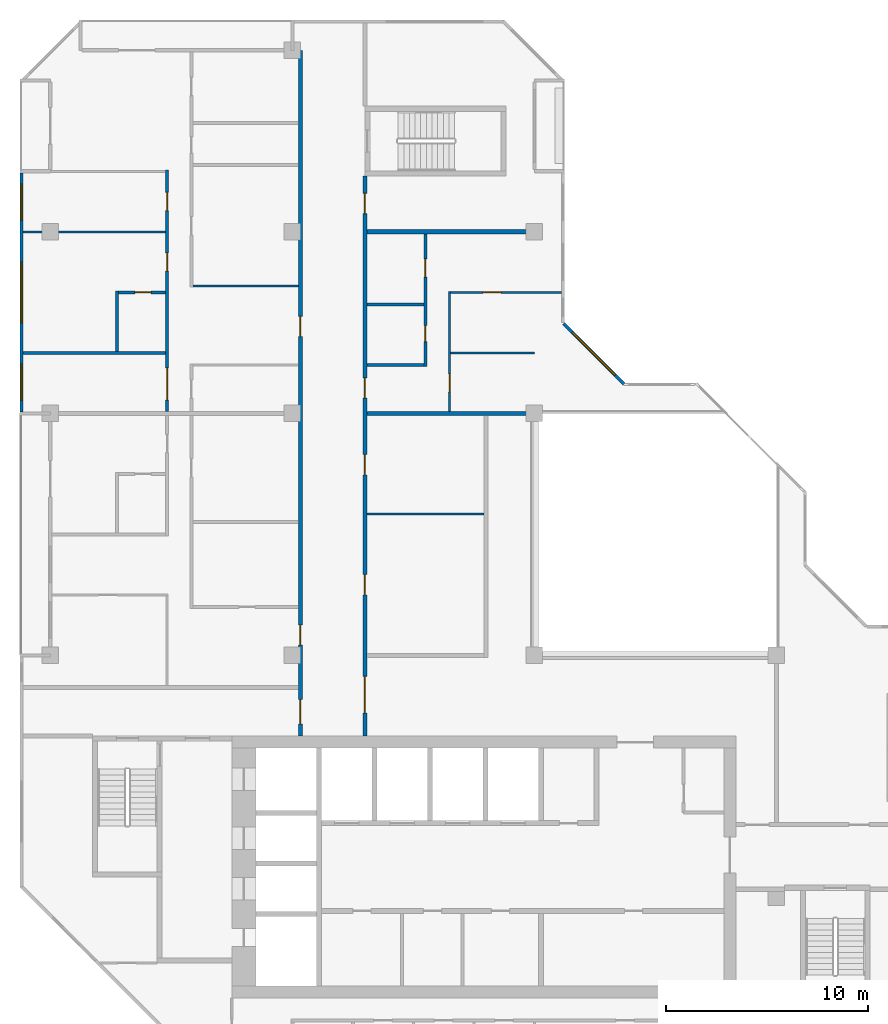
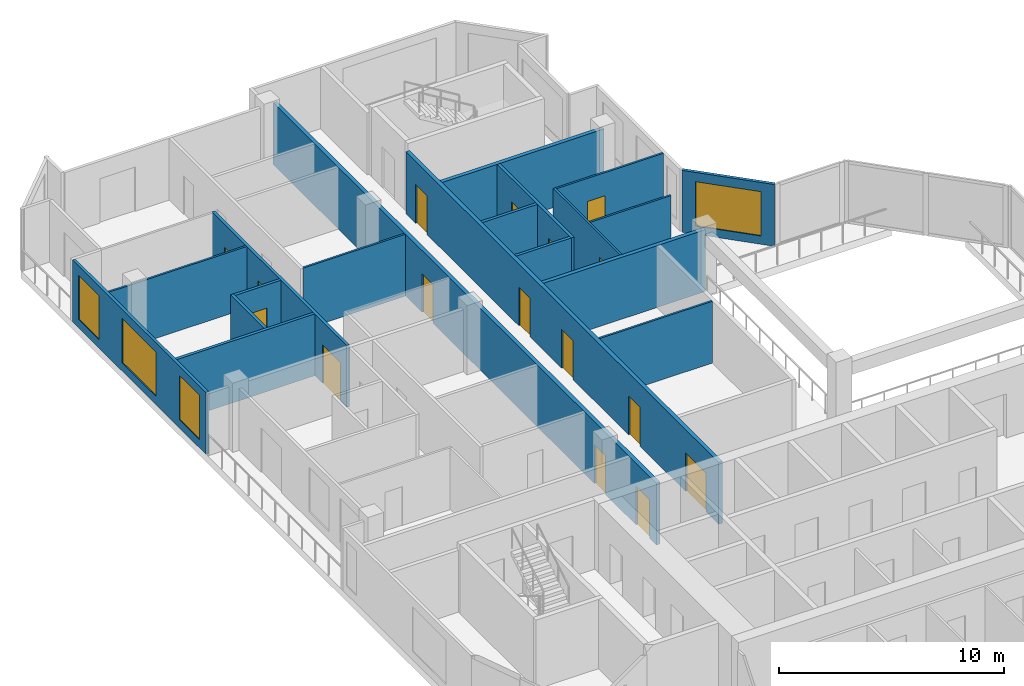
# One storey, part 9 of 13: 19 walls, 16 doors, 4 windows, 20 openings.
"""IFC4 building model written with IfcOpenShell, lengths in metres."""

from ifc_helpers import new_model, si_unit, direction, frame, frame_2d, origin, place, context, subcontext, project, spatial, rectangle, extrude, material, layer, layer_set, type_object, element, fill, save


model = new_model("IFC4")

# Units and contexts
model_context = context("Model", 3, precision=1e-05, world=origin(), true_north=direction((0.0, 1.0)))
body_context = subcontext(model_context, "Body", "Model", "MODEL_VIEW")
ifc_project = project(units=[si_unit("LENGTHUNIT", "METRE"), si_unit("AREAUNIT", "SQUARE_METRE"), si_unit("VOLUMEUNIT", "CUBIC_METRE"), si_unit("PLANEANGLEUNIT", "RADIAN"), si_unit("MASSUNIT", "GRAM", prefix="KILO")], contexts=[model_context])

# Site, building, storey
site_placement = place(None, origin())
site = spatial("IfcSite", under=ifc_project, at=site_placement, CompositionType="ELEMENT")
building_placement = place(site_placement, origin())
building = spatial("IfcBuilding", under=site, at=building_placement, Name="Chenar Terraces", CompositionType="ELEMENT")
storey_placement = place(building_placement, frame((0.0, 0.0, 307.14990234375)))
storey = spatial("IfcBuildingStorey", under=building, at=storey_placement, Name="L72", CompositionType="ELEMENT", Elevation=307.14990234375)

# Wall, openings, doors
ifc_material_1 = material(Name="Gypsum board on steel studs with fire boards", Category="steel")
ifc_layer_1 = layer(ifc_material_1, 0.199951171875)
ifc_layer_set_1 = layer_set([ifc_layer_1], Name="Gypsum board on steel studs with fire boards")
wall_type_1 = type_object("IfcWallType", Name="Corridor wall 200", PredefinedType="PARTITIONING", material=ifc_layer_set_1)
wall_1_placement = place(storey_placement, frame((12.39990234375, 20.0, 0.0), z_axis=(0.0, 0.0, 1.0), x_axis=(0.0, 1.0, 0.0)))
wall_1 = element("IfcWall", 1, at=wall_1_placement, inside=storey, type_object=wall_type_1, Name="Partition L72-031", PredefinedType="PARTITIONING", context=body_context, shape_type="SweptSolid", body=[
    extrude(rectangle(XDim=34.0, YDim=0.199951171875, at=frame_2d((17.0, 0.0))), origin(), (0.0, 0.0, 1.0), 3.35009765625),
])
opening_1_placement = place(wall_1_placement, frame((19.800048828125, 0.0, 0.0)))
opening_1 = element("IfcOpeningElement", 2, at=opening_1_placement, cuts=wall_1, Name="Opening DL72-25", PredefinedType="OPENING", context=body_context, shape_type="SweptSolid", body=[
    extrude(rectangle(XDim=1.0, YDim=2.10009765625, at=frame_2d((0.5, 1.050048828125))), frame((0.0, 0.10986328125, 0.0), z_axis=(0.0, -1.0, 0.0), x_axis=(1.0, 0.0, 0.0)), (0.0, 0.0, 1.0), 0.219970703125),
])
opening_2_placement = place(wall_1_placement, frame((0.60009765625, 0.0, 0.0)))
opening_2 = element("IfcOpeningElement", 3, at=opening_2_placement, cuts=wall_1, Name="Opening DL72-31", PredefinedType="OPENING", context=body_context, shape_type="SweptSolid", body=[
    extrude(rectangle(XDim=1.199951171875, YDim=2.10009765625, at=frame_2d((0.60009765625, 1.050048828125))), frame((0.0, 0.10986328125, 0.0), z_axis=(0.0, -1.0, 0.0), x_axis=(1.0, 0.0, 0.0)), (0.0, 0.0, 1.0), 0.219970703125),
])
opening_3_placement = place(wall_1_placement, frame((4.5, 0.0, 0.0)))
opening_3 = element("IfcOpeningElement", 4, at=opening_3_placement, cuts=wall_1, Name="Opening DL72-52", PredefinedType="OPENING", context=body_context, shape_type="SweptSolid", body=[
    extrude(rectangle(XDim=1.0, YDim=2.10009765625, at=frame_2d((0.5, 1.050048828125))), frame((0.0, 0.10986328125, 0.0), z_axis=(0.0, -1.0, 0.0), x_axis=(1.0, 0.0, 0.0)), (0.0, 0.0, 1.0), 0.219970703125),
])
ifc_material_2 = material(Name="Steel-framed fire-resisting door leaf", Category="steel")
door_type_1 = type_object("IfcDoorType", Name="Fire door FD30S 1000 x 2100", OperationType="SINGLE_SWING_LEFT", PredefinedType="DOOR", material=ifc_material_2)
door_1_placement = place(opening_1_placement, origin())
door_1 = element("IfcDoor", 5, at=door_1_placement, inside=storey, type_object=door_type_1, Name="Door DL72-25", OperationType="SINGLE_SWING_LEFT", OverallHeight=2.10009765625, OverallWidth=1.0, PredefinedType="DOOR", context=body_context, shape_type="SweptSolid", body=[
    extrude(rectangle(XDim=1.0, YDim=2.10009765625, at=frame_2d((0.5, 1.050048828125))), frame((0.0, 0.02490234375, 0.0), z_axis=(0.0, -1.0, 0.0), x_axis=(1.0, 0.0, 0.0)), (0.0, 0.0, 1.0), 0.050048828125),
])
fill(opening_1, door_1)
door_2_placement = place(opening_3_placement, origin())
door_2 = element("IfcDoor", 6, at=door_2_placement, inside=storey, type_object=door_type_1, Name="Door DL72-52", OperationType="SINGLE_SWING_LEFT", OverallHeight=2.10009765625, OverallWidth=1.0, PredefinedType="DOOR", context=body_context, shape_type="SweptSolid", body=[
    extrude(rectangle(XDim=1.0, YDim=2.10009765625, at=frame_2d((0.5, 1.050048828125))), frame((0.0, 0.02490234375, 0.0), z_axis=(0.0, -1.0, 0.0), x_axis=(1.0, 0.0, 0.0)), (0.0, 0.0, 1.0), 0.050048828125),
])
fill(opening_3, door_2)
ifc_material_3 = material(Name="Steel-framed fire-resisting door leaf", Category="steel")
door_type_2 = type_object("IfcDoorType", Name="Fire door FD30S 1200 x 2100", OperationType="SINGLE_SWING_LEFT", PredefinedType="DOOR", material=ifc_material_3)
door_3_placement = place(opening_2_placement, origin())
door_3 = element("IfcDoor", 7, at=door_3_placement, inside=storey, type_object=door_type_2, Name="Door DL72-31", OperationType="SINGLE_SWING_RIGHT", OverallHeight=2.10009765625, OverallWidth=1.199951171875, PredefinedType="DOOR", context=body_context, shape_type="SweptSolid", body=[
    extrude(rectangle(XDim=1.199951171875, YDim=2.10009765625, at=frame_2d((0.60009765625, 1.050048828125))), frame((0.0, 0.02490234375, 0.0), z_axis=(0.0, -1.0, 0.0), x_axis=(1.0, 0.0, 0.0)), (0.0, 0.0, 1.0), 0.050048828125),
])
fill(opening_2, door_3)

wall_2_placement = place(storey_placement, frame((15.60009765625, 20.0, 0.0), z_axis=(0.0, 0.0, 1.0), x_axis=(0.0, 1.0, 0.0)))
wall_2 = element("IfcWall", 8, at=wall_2_placement, inside=storey, type_object=wall_type_1, Name="Partition L72-033", PredefinedType="PARTITIONING", context=body_context, shape_type="SweptSolid", body=[
    extrude(rectangle(XDim=27.77490234375, YDim=0.199951171875, at=frame_2d((13.887451171875, 0.0))), origin(), (0.0, 0.0, 1.0), 3.35009765625),
])
opening_4_placement = place(wall_2_placement, frame((7.0, 0.0, 0.0)))
opening_4 = element("IfcOpeningElement", 9, at=opening_4_placement, cuts=wall_2, Name="Opening DL72-1", PredefinedType="OPENING", context=body_context, shape_type="SweptSolid", body=[
    extrude(rectangle(XDim=1.0, YDim=2.10009765625, at=frame_2d((0.5, 1.050048828125))), frame((0.0, 0.10986328125, 0.0), z_axis=(0.0, -1.0, 0.0), x_axis=(1.0, 0.0, 0.0)), (0.0, 0.0, 1.0), 0.219970703125),
])
opening_5_placement = place(wall_2_placement, frame((12.949951171875, 0.0, 0.0)))
opening_5 = element("IfcOpeningElement", 10, at=opening_5_placement, cuts=wall_2, Name="Opening DL72-2", PredefinedType="OPENING", context=body_context, shape_type="SweptSolid", body=[
    extrude(rectangle(XDim=1.0, YDim=2.10009765625, at=frame_2d((0.5, 1.050048828125))), frame((0.0, 0.10986328125, 0.0), z_axis=(0.0, -1.0, 0.0), x_axis=(1.0, 0.0, 0.0)), (0.0, 0.0, 1.0), 0.219970703125),
])
opening_6_placement = place(wall_2_placement, frame((16.75, 0.0, 0.0)))
opening_6 = element("IfcOpeningElement", 11, at=opening_6_placement, cuts=wall_2, Name="Opening DL72-19", PredefinedType="OPENING", context=body_context, shape_type="SweptSolid", body=[
    extrude(rectangle(XDim=1.0, YDim=2.10009765625, at=frame_2d((0.5, 1.050048828125))), frame((0.0, 0.10986328125, 0.0), z_axis=(0.0, -1.0, 0.0), x_axis=(1.0, 0.0, 0.0)), (0.0, 0.0, 1.0), 0.219970703125),
])
opening_7_placement = place(wall_2_placement, frame((1.14990234375, 0.0, 0.0)))
opening_7 = element("IfcOpeningElement", 12, at=opening_7_placement, cuts=wall_2, Name="Opening DL72-30", PredefinedType="OPENING", context=body_context, shape_type="SweptSolid", body=[
    extrude(rectangle(XDim=1.800048828125, YDim=2.10009765625, at=frame_2d((0.89990234375, 1.050048828125))), frame((0.0, 0.10986328125, 0.0), z_axis=(0.0, -1.0, 0.0), x_axis=(1.0, 0.0, 0.0)), (0.0, 0.0, 1.0), 0.219970703125),
])
opening_8_placement = place(wall_2_placement, frame((25.89990234375, 0.0, 0.0)))
opening_8 = element("IfcOpeningElement", 13, at=opening_8_placement, cuts=wall_2, Name="Opening DL72-33", PredefinedType="OPENING", context=body_context, shape_type="SweptSolid", body=[
    extrude(rectangle(XDim=1.0, YDim=2.10009765625, at=frame_2d((0.5, 1.050048828125))), frame((0.0, 0.10986328125, 0.0), z_axis=(0.0, -1.0, 0.0), x_axis=(1.0, 0.0, 0.0)), (0.0, 0.0, 1.0), 0.219970703125),
])
ifc_material_4 = material(Name="Steel-framed fire-resisting door leaf", Category="steel")
door_type_3 = type_object("IfcDoorType", Name="Fire door FD60 1000 x 2100", OperationType="SINGLE_SWING_LEFT", PredefinedType="DOOR", material=ifc_material_4)
door_4_placement = place(opening_4_placement, frame((1.0, 0.0, 0.0), z_axis=(0.0, 0.0, 1.0), x_axis=(-1.0, 0.0, 0.0)))
door_4 = element("IfcDoor", 14, at=door_4_placement, inside=storey, type_object=door_type_3, Name="Door DL72-1", OperationType="SINGLE_SWING_LEFT", OverallHeight=2.10009765625, OverallWidth=1.0, PredefinedType="DOOR", context=body_context, shape_type="SweptSolid", body=[
    extrude(rectangle(XDim=1.0, YDim=2.10009765625, at=frame_2d((0.5, 1.050048828125))), frame((0.0, 0.02490234375, 0.0), z_axis=(0.0, -1.0, 0.0), x_axis=(1.0, 0.0, 0.0)), (0.0, 0.0, 1.0), 0.050048828125),
])
fill(opening_4, door_4)
door_5_placement = place(opening_5_placement, frame((1.0, 0.0, 0.0), z_axis=(0.0, 0.0, 1.0), x_axis=(-1.0, 0.0, 0.0)))
door_5 = element("IfcDoor", 15, at=door_5_placement, inside=storey, type_object=door_type_3, Name="Door DL72-2", OperationType="SINGLE_SWING_LEFT", OverallHeight=2.10009765625, OverallWidth=1.0, PredefinedType="DOOR", context=body_context, shape_type="SweptSolid", body=[
    extrude(rectangle(XDim=1.0, YDim=2.10009765625, at=frame_2d((0.5, 1.050048828125))), frame((0.0, 0.02490234375, 0.0), z_axis=(0.0, -1.0, 0.0), x_axis=(1.0, 0.0, 0.0)), (0.0, 0.0, 1.0), 0.050048828125),
])
fill(opening_5, door_5)
door_6_placement = place(opening_6_placement, frame((1.0, 0.0, 0.0), z_axis=(0.0, 0.0, 1.0), x_axis=(-1.0, 0.0, 0.0)))
door_6 = element("IfcDoor", 16, at=door_6_placement, inside=storey, type_object=door_type_3, Name="Door DL72-19", OperationType="SINGLE_SWING_LEFT", OverallHeight=2.10009765625, OverallWidth=1.0, PredefinedType="DOOR", context=body_context, shape_type="SweptSolid", body=[
    extrude(rectangle(XDim=1.0, YDim=2.10009765625, at=frame_2d((0.5, 1.050048828125))), frame((0.0, 0.02490234375, 0.0), z_axis=(0.0, -1.0, 0.0), x_axis=(1.0, 0.0, 0.0)), (0.0, 0.0, 1.0), 0.050048828125),
])
fill(opening_6, door_6)
door_7_placement = place(opening_8_placement, frame((1.0, 0.0, 0.0), z_axis=(0.0, 0.0, 1.0), x_axis=(-1.0, 0.0, 0.0)))
door_7 = element("IfcDoor", 17, at=door_7_placement, inside=storey, type_object=door_type_3, Name="Door DL72-33", OperationType="SINGLE_SWING_RIGHT", OverallHeight=2.10009765625, OverallWidth=1.0, PredefinedType="DOOR", context=body_context, shape_type="SweptSolid", body=[
    extrude(rectangle(XDim=1.0, YDim=2.10009765625, at=frame_2d((0.5, 1.050048828125))), frame((0.0, 0.02490234375, 0.0), z_axis=(0.0, -1.0, 0.0), x_axis=(1.0, 0.0, 0.0)), (0.0, 0.0, 1.0), 0.050048828125),
])
fill(opening_8, door_7)
ifc_material_5 = material(Name="Steel-framed fire-resisting door leaf", Category="steel")
door_type_4 = type_object("IfcDoorType", Name="Fire double door FD60 1800 x 2100", OperationType="DOUBLE_DOOR_SINGLE_SWING", PredefinedType="DOOR", material=ifc_material_5)
door_8_placement = place(opening_7_placement, frame((1.800048828125, 0.0, 0.0), z_axis=(0.0, 0.0, 1.0), x_axis=(-1.0, 0.0, 0.0)))
door_8 = element("IfcDoor", 18, at=door_8_placement, inside=storey, type_object=door_type_4, Name="Door DL72-30", OperationType="DOUBLE_DOOR_SINGLE_SWING", OverallHeight=2.10009765625, OverallWidth=1.800048828125, PredefinedType="DOOR", context=body_context, shape_type="SweptSolid", body=[
    extrude(rectangle(XDim=1.800048828125, YDim=2.10009765625, at=frame_2d((0.89990234375, 1.050048828125))), frame((0.0, 0.02490234375, 0.0), z_axis=(0.0, -1.0, 0.0), x_axis=(1.0, 0.0, 0.0)), (0.0, 0.0, 1.0), 0.050048828125),
])
fill(opening_7, door_8)

# Wall, openings, windows
ifc_material_6 = material(Name="Aluminium framed glazing", Category="aluminium")
ifc_layer_2 = layer(ifc_material_6, 0.14990234375)
ifc_layer_set_2 = layer_set([ifc_layer_2], Name="Aluminium framed glazing")
wall_type_2 = type_object("IfcWallType", Name="Glazed flush facade wall 150", PredefinedType="SOLIDWALL", material=ifc_layer_set_2)
wall_3_placement = place(storey_placement, frame((-1.425048828125, 47.925048828125, 0.0), z_axis=(0.0, 0.0, 1.0), x_axis=(0.0, -1.0, 0.0)))
wall_3 = element("IfcWall", 19, at=wall_3_placement, inside=storey, type_object=wall_type_2, Name="Glazed flush facade wall", PredefinedType="SOLIDWALL", context=body_context, shape_type="SweptSolid", body=[
    extrude(rectangle(XDim=11.85009765625, YDim=0.14990234375, at=frame_2d((5.925048828125, 0.0))), origin(), (0.0, 0.0, 1.0), 3.35009765625),
])
opening_9_placement = place(wall_3_placement, frame((0.5625, 0.0, 0.449951171875)))
opening_9 = element("IfcOpeningElement", 20, at=opening_9_placement, cuts=wall_3, Name="Opening W180x240", PredefinedType="OPENING", context=body_context, shape_type="SweptSolid", body=[
    extrude(rectangle(XDim=1.800048828125, YDim=2.39990234375, at=frame_2d((0.89990234375, 1.199951171875))), frame((0.0, 0.0849609375, 0.0), z_axis=(0.0, -1.0, 0.0), x_axis=(1.0, 0.0, 0.0)), (0.0, 0.0, 1.0), 0.169921875),
])
opening_10_placement = place(wall_3_placement, frame((4.425048828125, 0.0, 0.449951171875)))
opening_10 = element("IfcOpeningElement", 21, at=opening_10_placement, cuts=wall_3, Name="Opening W300x240", PredefinedType="OPENING", context=body_context, shape_type="SweptSolid", body=[
    extrude(rectangle(XDim=3.0, YDim=2.39990234375, at=frame_2d((1.5, 1.199951171875))), frame((0.0, 0.0849609375, 0.0), z_axis=(0.0, -1.0, 0.0), x_axis=(1.0, 0.0, 0.0)), (0.0, 0.0, 1.0), 0.169921875),
])
opening_11_placement = place(wall_3_placement, frame((9.487548828125, 0.0, 0.449951171875)))
opening_11 = element("IfcOpeningElement", 22, at=opening_11_placement, cuts=wall_3, Name="Opening W180x240", PredefinedType="OPENING", context=body_context, shape_type="SweptSolid", body=[
    extrude(rectangle(XDim=1.800048828125, YDim=2.39990234375, at=frame_2d((0.89990234375, 1.199951171875))), frame((0.0, 0.0849609375, 0.0), z_axis=(0.0, -1.0, 0.0), x_axis=(1.0, 0.0, 0.0)), (0.0, 0.0, 1.0), 0.169921875),
])
ifc_material_7 = material(Name="Low emissivity double glazing, aluminium frame", Category="aluminium")
window_type_1 = type_object("IfcWindowType", Name="Fixed light 1800 x 2400", PartitioningType="SINGLE_PANEL", PredefinedType="WINDOW", material=ifc_material_7)
window_1_placement = place(opening_9_placement, origin())
window_1 = element("IfcWindow", 23, at=window_1_placement, inside=storey, type_object=window_type_1, Name="Window", OverallHeight=2.39990234375, OverallWidth=1.800048828125, PartitioningType="SINGLE_PANEL", PredefinedType="WINDOW", context=body_context, shape_type="SweptSolid", body=[
    extrude(rectangle(XDim=1.800048828125, YDim=2.39990234375, at=frame_2d((0.89990234375, 1.199951171875))), frame((0.0, 0.030029296875, 0.0), z_axis=(0.0, -1.0, 0.0), x_axis=(1.0, 0.0, 0.0)), (0.0, 0.0, 1.0), 0.06005859375),
])
fill(opening_9, window_1)
window_2_placement = place(opening_11_placement, origin())
window_2 = element("IfcWindow", 24, at=window_2_placement, inside=storey, type_object=window_type_1, Name="Window", OverallHeight=2.39990234375, OverallWidth=1.800048828125, PartitioningType="SINGLE_PANEL", PredefinedType="WINDOW", context=body_context, shape_type="SweptSolid", body=[
    extrude(rectangle(XDim=1.800048828125, YDim=2.39990234375, at=frame_2d((0.89990234375, 1.199951171875))), frame((0.0, 0.030029296875, 0.0), z_axis=(0.0, -1.0, 0.0), x_axis=(1.0, 0.0, 0.0)), (0.0, 0.0, 1.0), 0.06005859375),
])
fill(opening_11, window_2)
ifc_material_8 = material(Name="Low emissivity double glazing, aluminium frame", Category="aluminium")
window_type_2 = type_object("IfcWindowType", Name="Fixed light 3000 x 2400", PartitioningType="SINGLE_PANEL", PredefinedType="WINDOW", material=ifc_material_8)
window_3_placement = place(opening_10_placement, origin())
window_3 = element("IfcWindow", 25, at=window_3_placement, inside=storey, type_object=window_type_2, Name="Window", OverallHeight=2.39990234375, OverallWidth=3.0, PartitioningType="SINGLE_PANEL", PredefinedType="WINDOW", context=body_context, shape_type="SweptSolid", body=[
    extrude(rectangle(XDim=3.0, YDim=2.39990234375, at=frame_2d((1.5, 1.199951171875))), frame((0.0, 0.030029296875, 0.0), z_axis=(0.0, -1.0, 0.0), x_axis=(1.0, 0.0, 0.0)), (0.0, 0.0, 1.0), 0.06005859375),
])
fill(opening_10, window_3)

# Walls
ifc_material_9 = material(Name="Gypsum board on steel studs", Category="steel")
ifc_layer_3 = layer(ifc_material_9, 0.10009765625)
ifc_layer_set_3 = layer_set([ifc_layer_3], Name="Gypsum board on steel studs")
wall_type_3 = type_object("IfcWallType", Name="Gypsum partition 100", PredefinedType="PARTITIONING", material=ifc_layer_set_3)
wall_4_placement = place(storey_placement, frame((-1.35107421875, 45.0, 0.0), z_axis=(0.0, 0.0, 1.0), x_axis=(1.0, 0.0, 0.0)))
element("IfcWall", 26, at=wall_4_placement, inside=storey, type_object=wall_type_3, Name="Partition L72-002", PredefinedType="PARTITIONING", context=body_context, shape_type="SweptSolid", body=[
    extrude(rectangle(XDim=7.076171875, YDim=0.10009765625, at=frame_2d((3.5380859375, 0.0))), origin(), (0.0, 0.0, 1.0), 3.35009765625),
])
wall_5_placement = place(storey_placement, frame((7.074951171875, 42.300048828125, 0.0), z_axis=(0.0, 0.0, 1.0), x_axis=(1.0, 0.0, 0.0)))
element("IfcWall", 27, at=wall_5_placement, inside=storey, type_object=wall_type_3, Name="Partition L72-023", PredefinedType="PARTITIONING", context=body_context, shape_type="SweptSolid", body=[
    extrude(rectangle(XDim=5.22509765625, YDim=0.10009765625, at=frame_2d((2.612548828125, 0.0))), origin(), (0.0, 0.0, 1.0), 3.35009765625),
])
wall_6_placement = place(storey_placement, frame((15.699951171875, 31.0, 0.0), z_axis=(0.0, 0.0, 1.0), x_axis=(1.0, 0.0, 0.0)))
element("IfcWall", 28, at=wall_6_placement, inside=storey, type_object=wall_type_3, Name="Partition L72-036", PredefinedType="PARTITIONING", context=body_context, shape_type="SweptSolid", body=[
    extrude(rectangle(XDim=5.800048828125, YDim=0.10009765625, at=frame_2d((2.89990234375, 0.0))), origin(), (0.0, 0.0, 1.0), 3.35009765625),
])

# Wall, opening, door
wall_7_placement = place(storey_placement, frame((19.800048828125, 36.10009765625, 0.0), z_axis=(0.0, 0.0, 1.0), x_axis=(0.0, 1.0, 0.0)))
wall_7 = element("IfcWall", 29, at=wall_7_placement, inside=storey, type_object=wall_type_3, Name="Partition L72-043", PredefinedType="PARTITIONING", context=body_context, shape_type="SweptSolid", body=[
    extrude(rectangle(XDim=5.949951171875, YDim=0.10009765625, at=frame_2d((2.97509765625, 0.0))), origin(), (0.0, 0.0, 1.0), 3.35009765625),
])
opening_12_placement = place(wall_7_placement, frame((0.949951171875, 0.0, 0.0)))
opening_12 = element("IfcOpeningElement", 30, at=opening_12_placement, cuts=wall_7, Name="Opening DL72-16", PredefinedType="OPENING", context=body_context, shape_type="SweptSolid", body=[
    extrude(rectangle(XDim=0.89990234375, YDim=2.10009765625, at=frame_2d((0.449951171875, 1.050048828125))), frame((0.0, 0.06005859375, 0.0), z_axis=(0.0, -1.0, 0.0), x_axis=(1.0, 0.0, 0.0)), (0.0, 0.0, 1.0), 0.1201171875),
])
ifc_material_10 = material(Name="Veneered timber door leaf", Category="wood")
door_type_5 = type_object("IfcDoorType", Name="Door 900 x 2100", OperationType="SINGLE_SWING_LEFT", PredefinedType="DOOR", material=ifc_material_10)
door_9_placement = place(opening_12_placement, frame((0.89990234375, 0.0, 0.0), z_axis=(0.0, 0.0, 1.0), x_axis=(-1.0, 0.0, 0.0)))
door_9 = element("IfcDoor", 31, at=door_9_placement, inside=storey, type_object=door_type_5, Name="Door DL72-16", OperationType="SINGLE_SWING_LEFT", OverallHeight=2.10009765625, OverallWidth=0.89990234375, PredefinedType="DOOR", context=body_context, shape_type="SweptSolid", body=[
    extrude(rectangle(XDim=0.89990234375, YDim=2.10009765625, at=frame_2d((0.449951171875, 1.050048828125))), frame((0.0, 0.02490234375, 0.0), z_axis=(0.0, -1.0, 0.0), x_axis=(1.0, 0.0, 0.0)), (0.0, 0.0, 1.0), 0.050048828125),
])
fill(opening_12, door_9)

# Wall
wall_8_placement = place(storey_placement, frame((19.85009765625, 39.0, 0.0), z_axis=(0.0, 0.0, 1.0), x_axis=(1.0, 0.0, 0.0)))
element("IfcWall", 32, at=wall_8_placement, inside=storey, type_object=wall_type_3, Name="Partition L72-044", PredefinedType="PARTITIONING", context=body_context, shape_type="SweptSolid", body=[
    extrude(rectangle(XDim=4.14990234375, YDim=0.10009765625, at=frame_2d((2.074951171875, 0.0))), origin(), (0.0, 0.0, 1.0), 3.35009765625),
])

# Wall, opening, door
wall_9_placement = place(storey_placement, frame((19.85009765625, 42.0, 0.0), z_axis=(0.0, 0.0, 1.0), x_axis=(1.0, 0.0, 0.0)))
wall_9 = element("IfcWall", 33, at=wall_9_placement, inside=storey, type_object=wall_type_3, Name="Partition L72-045", PredefinedType="PARTITIONING", context=body_context, shape_type="SweptSolid", body=[
    extrude(rectangle(XDim=5.5, YDim=0.10009765625, at=frame_2d((2.75, 0.0))), origin(), (0.0, 0.0, 1.0), 3.35009765625),
])
opening_13_placement = place(wall_9_placement, frame((1.60009765625, 0.0, 0.0)))
opening_13 = element("IfcOpeningElement", 34, at=opening_13_placement, cuts=wall_9, Name="Opening DL72-17", PredefinedType="OPENING", context=body_context, shape_type="SweptSolid", body=[
    extrude(rectangle(XDim=0.89990234375, YDim=2.10009765625, at=frame_2d((0.449951171875, 1.050048828125))), frame((0.0, 0.06005859375, 0.0), z_axis=(0.0, -1.0, 0.0), x_axis=(1.0, 0.0, 0.0)), (0.0, 0.0, 1.0), 0.1201171875),
])
door_10_placement = place(opening_13_placement, frame((0.89990234375, 0.0, 0.0), z_axis=(0.0, 0.0, 1.0), x_axis=(-1.0, 0.0, 0.0)))
door_10 = element("IfcDoor", 35, at=door_10_placement, inside=storey, type_object=door_type_5, Name="Door DL72-17", OperationType="SINGLE_SWING_LEFT", OverallHeight=2.10009765625, OverallWidth=0.89990234375, PredefinedType="DOOR", context=body_context, shape_type="SweptSolid", body=[
    extrude(rectangle(XDim=0.89990234375, YDim=2.10009765625, at=frame_2d((0.449951171875, 1.050048828125))), frame((0.0, 0.02490234375, 0.0), z_axis=(0.0, -1.0, 0.0), x_axis=(1.0, 0.0, 0.0)), (0.0, 0.0, 1.0), 0.050048828125),
])
fill(opening_13, door_10)

# Wall, opening, window
ifc_material_11 = material(Name="Terracotta cladding on insulated backing", Category="masonry")
ifc_layer_4 = layer(ifc_material_11, 0.14990234375)
ifc_layer_set_4 = layer_set([ifc_layer_4], Name="Terracotta cladding on insulated backing")
wall_type_4 = type_object("IfcWallType", Name="Terracotta rainscreen wall 150", PredefinedType="SOLIDWALL", material=ifc_layer_set_4)
wall_10_placement = place(storey_placement, frame((28.447021484375, 37.447021484375, 0.0), z_axis=(0.0, 0.0, 1.0), x_axis=(-0.707106781187, 0.707106781187, 0.0)))
wall_10 = element("IfcWall", 36, at=wall_10_placement, inside=storey, type_object=wall_type_4, Name="Terracotta rainscreen wall", PredefinedType="SOLIDWALL", context=body_context, shape_type="SweptSolid", body=[
    extrude(rectangle(XDim=4.24267578125, YDim=0.14990234375, at=frame_2d((2.121337890625, 0.0))), origin(), (0.0, 0.0, 1.0), 3.35009765625),
])
opening_14_placement = place(wall_10_placement, frame((0.621337890625, 0.0, 0.449951171875)))
opening_14 = element("IfcOpeningElement", 37, at=opening_14_placement, cuts=wall_10, Name="Opening W300x240", PredefinedType="OPENING", context=body_context, shape_type="SweptSolid", body=[
    extrude(rectangle(XDim=3.0, YDim=2.39990234375, at=frame_2d((1.5, 1.199951171875))), frame((0.0, 0.0849609375, 0.0), z_axis=(0.0, -1.0, 0.0), x_axis=(1.0, 0.0, 0.0)), (0.0, 0.0, 1.0), 0.169921875),
])
window_4_placement = place(opening_14_placement, origin())
window_4 = element("IfcWindow", 38, at=window_4_placement, inside=storey, type_object=window_type_2, Name="Window", OverallHeight=2.39990234375, OverallWidth=3.0, PartitioningType="SINGLE_PANEL", PredefinedType="WINDOW", context=body_context, shape_type="SweptSolid", body=[
    extrude(rectangle(XDim=3.0, YDim=2.39990234375, at=frame_2d((1.5, 1.199951171875))), frame((0.0, 0.030029296875, 0.0), z_axis=(0.0, -1.0, 0.0), x_axis=(1.0, 0.0, 0.0)), (0.0, 0.0, 1.0), 0.06005859375),
])
fill(opening_14, window_4)

# Walls
ifc_material_12 = material(Name="Twin gypsum board on steel studs with mineral wool", Category="steel")
ifc_layer_5 = layer(ifc_material_12, 0.199951171875)
ifc_layer_set_5 = layer_set([ifc_layer_5], Name="Twin gypsum board on steel studs with mineral wool")
wall_type_5 = type_object("IfcWallType", Name="Unit demising wall 200", PredefinedType="PARTITIONING", material=ifc_layer_set_5)
for number, where, z_axis, x_axis, name in (
    (39, (15.699951171875, 36.0, 0.0), (0.0, 0.0, 1.0), (1.0, 0.0, 0.0), "Partition L72-037"),
    (40, (15.699951171875, 45.0, 0.0), (0.0, 0.0, 1.0), (1.0, 0.0, 0.0), "Partition L72-040"),
):
    element("IfcWall", number, at=place(storey_placement, frame(where, z_axis=z_axis, x_axis=x_axis)), inside=storey, type_object=wall_type_5, Name=name, PredefinedType="PARTITIONING", context=body_context, shape_type="SweptSolid", body=[
        extrude(rectangle(XDim=8.300048828125, YDim=0.199951171875, at=frame_2d((4.14990234375, 0.0))), origin(), (0.0, 0.0, 1.0), 3.35009765625),
    ])
ifc_material_13 = material(Name="Moisture-resistant gypsum board on steel studs", Category="steel")
ifc_layer_6 = layer(ifc_material_13, 0.14990234375)
ifc_layer_set_6 = layer_set([ifc_layer_6], Name="Moisture-resistant gypsum board on steel studs")
wall_type_6 = type_object("IfcWallType", Name="Wet-room partition 150", PredefinedType="PARTITIONING", material=ifc_layer_set_6)
wall_11_placement = place(storey_placement, frame((-1.35107421875, 39.0, 0.0), z_axis=(0.0, 0.0, 1.0), x_axis=(1.0, 0.0, 0.0)))
element("IfcWall", 41, at=wall_11_placement, inside=storey, type_object=wall_type_6, Name="Partition L72-001", PredefinedType="PARTITIONING", context=body_context, shape_type="SweptSolid", body=[
    extrude(rectangle(XDim=7.076171875, YDim=0.14990234375, at=frame_2d((3.5380859375, 0.0))), origin(), (0.0, 0.0, 1.0), 3.35009765625),
])
wall_12_placement = place(storey_placement, frame((3.300048828125, 39.074951171875, 0.0), z_axis=(0.0, 0.0, 1.0), x_axis=(0.0, 1.0, 0.0)))
element("IfcWall", 42, at=wall_12_placement, inside=storey, type_object=wall_type_6, Name="Partition L72-011", PredefinedType="PARTITIONING", context=body_context, shape_type="SweptSolid", body=[
    extrude(rectangle(XDim=3.0, YDim=0.14990234375, at=frame_2d((1.5, 0.0))), origin(), (0.0, 0.0, 1.0), 3.35009765625),
])

# Wall, opening, door
wall_13_placement = place(storey_placement, frame((3.375, 42.0, 0.0), z_axis=(0.0, 0.0, 1.0), x_axis=(1.0, 0.0, 0.0)))
wall_13 = element("IfcWall", 43, at=wall_13_placement, inside=storey, type_object=wall_type_6, Name="Partition L72-013", PredefinedType="PARTITIONING", context=body_context, shape_type="SweptSolid", body=[
    extrude(rectangle(XDim=2.35009765625, YDim=0.14990234375, at=frame_2d((1.175048828125, 0.0))), origin(), (0.0, 0.0, 1.0), 3.35009765625),
])
opening_15_placement = place(wall_13_placement, frame((0.824951171875, 0.0, 0.0)))
opening_15 = element("IfcOpeningElement", 44, at=opening_15_placement, cuts=wall_13, Name="Opening DL72-23", PredefinedType="OPENING", context=body_context, shape_type="SweptSolid", body=[
    extrude(rectangle(XDim=0.800048828125, YDim=2.10009765625, at=frame_2d((0.39990234375, 1.050048828125))), frame((0.0, 0.0849609375, 0.0), z_axis=(0.0, -1.0, 0.0), x_axis=(1.0, 0.0, 0.0)), (0.0, 0.0, 1.0), 0.169921875),
])
ifc_material_14 = material(Name="Veneered timber door leaf", Category="wood")
door_type_6 = type_object("IfcDoorType", Name="Door 800 x 2100", OperationType="SINGLE_SWING_LEFT", PredefinedType="DOOR", material=ifc_material_14)
door_11_placement = place(opening_15_placement, frame((0.800048828125, 0.0, 0.0), z_axis=(0.0, 0.0, 1.0), x_axis=(-1.0, 0.0, 0.0)))
door_11 = element("IfcDoor", 45, at=door_11_placement, inside=storey, type_object=door_type_6, Name="Door DL72-23", OperationType="SINGLE_SWING_LEFT", OverallHeight=2.10009765625, OverallWidth=0.800048828125, PredefinedType="DOOR", context=body_context, shape_type="SweptSolid", body=[
    extrude(rectangle(XDim=0.800048828125, YDim=2.10009765625, at=frame_2d((0.39990234375, 1.050048828125))), frame((0.0, 0.02490234375, 0.0), z_axis=(0.0, -1.0, 0.0), x_axis=(1.0, 0.0, 0.0)), (0.0, 0.0, 1.0), 0.050048828125),
])
fill(opening_15, door_11)

# Wall, openings, doors
wall_14_placement = place(storey_placement, frame((5.800048828125, 36.10009765625, 0.0), z_axis=(0.0, 0.0, 1.0), x_axis=(0.0, 1.0, 0.0)))
wall_14 = element("IfcWall", 46, at=wall_14_placement, inside=storey, type_object=wall_type_6, Name="Partition L72-016", PredefinedType="PARTITIONING", context=body_context, shape_type="SweptSolid", body=[
    extrude(rectangle(XDim=11.949951171875, YDim=0.14990234375, at=frame_2d((5.97509765625, 0.0))), origin(), (0.0, 0.0, 1.0), 3.35009765625),
])
opening_16_placement = place(wall_14_placement, frame((9.949951171875, 0.0, 0.0)))
opening_16 = element("IfcOpeningElement", 47, at=opening_16_placement, cuts=wall_14, Name="Opening DL72-21", PredefinedType="OPENING", context=body_context, shape_type="SweptSolid", body=[
    extrude(rectangle(XDim=0.89990234375, YDim=2.10009765625, at=frame_2d((0.449951171875, 1.050048828125))), frame((0.0, 0.0849609375, 0.0), z_axis=(0.0, -1.0, 0.0), x_axis=(1.0, 0.0, 0.0)), (0.0, 0.0, 1.0), 0.169921875),
])
opening_17_placement = place(wall_14_placement, frame((6.949951171875, 0.0, 0.0)))
opening_17 = element("IfcOpeningElement", 48, at=opening_17_placement, cuts=wall_14, Name="Opening DL72-22", PredefinedType="OPENING", context=body_context, shape_type="SweptSolid", body=[
    extrude(rectangle(XDim=0.89990234375, YDim=2.10009765625, at=frame_2d((0.449951171875, 1.050048828125))), frame((0.0, 0.0849609375, 0.0), z_axis=(0.0, -1.0, 0.0), x_axis=(1.0, 0.0, 0.0)), (0.0, 0.0, 1.0), 0.169921875),
])
opening_18_placement = place(wall_14_placement, frame((0.550048828125, 0.0, 0.0)))
opening_18 = element("IfcOpeningElement", 49, at=opening_18_placement, cuts=wall_14, Name="Opening DL72-26", PredefinedType="OPENING", context=body_context, shape_type="SweptSolid", body=[
    extrude(rectangle(XDim=1.60009765625, YDim=2.10009765625, at=frame_2d((0.800048828125, 1.050048828125))), frame((0.0, 0.0849609375, 0.0), z_axis=(0.0, -1.0, 0.0), x_axis=(1.0, 0.0, 0.0)), (0.0, 0.0, 1.0), 0.169921875),
])
door_12_placement = place(opening_16_placement, origin())
door_12 = element("IfcDoor", 50, at=door_12_placement, inside=storey, type_object=door_type_5, Name="Door DL72-21", OperationType="SINGLE_SWING_RIGHT", OverallHeight=2.10009765625, OverallWidth=0.89990234375, PredefinedType="DOOR", context=body_context, shape_type="SweptSolid", body=[
    extrude(rectangle(XDim=0.89990234375, YDim=2.10009765625, at=frame_2d((0.449951171875, 1.050048828125))), frame((0.0, 0.02490234375, 0.0), z_axis=(0.0, -1.0, 0.0), x_axis=(1.0, 0.0, 0.0)), (0.0, 0.0, 1.0), 0.050048828125),
])
fill(opening_16, door_12)
door_13_placement = place(opening_17_placement, origin())
door_13 = element("IfcDoor", 51, at=door_13_placement, inside=storey, type_object=door_type_5, Name="Door DL72-22", OperationType="SINGLE_SWING_RIGHT", OverallHeight=2.10009765625, OverallWidth=0.89990234375, PredefinedType="DOOR", context=body_context, shape_type="SweptSolid", body=[
    extrude(rectangle(XDim=0.89990234375, YDim=2.10009765625, at=frame_2d((0.449951171875, 1.050048828125))), frame((0.0, 0.02490234375, 0.0), z_axis=(0.0, -1.0, 0.0), x_axis=(1.0, 0.0, 0.0)), (0.0, 0.0, 1.0), 0.050048828125),
])
fill(opening_17, door_13)
ifc_material_15 = material(Name="Veneered timber door leaf", Category="wood")
door_type_7 = type_object("IfcDoorType", Name="Double door 1600 x 2100", OperationType="DOUBLE_DOOR_SINGLE_SWING", PredefinedType="DOOR", material=ifc_material_15)
door_14_placement = place(opening_18_placement, origin())
door_14 = element("IfcDoor", 52, at=door_14_placement, inside=storey, type_object=door_type_7, Name="Door DL72-26", OperationType="DOUBLE_DOOR_SINGLE_SWING", OverallHeight=2.10009765625, OverallWidth=1.60009765625, PredefinedType="DOOR", context=body_context, shape_type="SweptSolid", body=[
    extrude(rectangle(XDim=1.60009765625, YDim=2.10009765625, at=frame_2d((0.800048828125, 1.050048828125))), frame((0.0, 0.02490234375, 0.0), z_axis=(0.0, -1.0, 0.0), x_axis=(1.0, 0.0, 0.0)), (0.0, 0.0, 1.0), 0.050048828125),
])
fill(opening_18, door_14)

# Walls
for number, where, z_axis, x_axis, name in (
    (53, (15.699951171875, 38.39990234375, 0.0), (0.0, 0.0, 1.0), (1.0, 0.0, 0.0), "Partition L72-038"),
    (54, (15.699951171875, 41.39990234375, 0.0), (0.0, 0.0, 1.0), (1.0, 0.0, 0.0), "Partition L72-039"),
):
    element("IfcWall", number, at=place(storey_placement, frame(where, z_axis=z_axis, x_axis=x_axis)), inside=storey, type_object=wall_type_6, Name=name, PredefinedType="PARTITIONING", context=body_context, shape_type="SweptSolid", body=[
        extrude(rectangle(XDim=2.824951171875, YDim=0.14990234375, at=frame_2d((1.41259765625, 0.0))), origin(), (0.0, 0.0, 1.0), 3.35009765625),
    ])

# Wall, openings, doors
wall_15_placement = place(storey_placement, frame((18.60009765625, 38.324951171875, 0.0), z_axis=(0.0, 0.0, 1.0), x_axis=(0.0, 1.0, 0.0)))
wall_15 = element("IfcWall", 55, at=wall_15_placement, inside=storey, type_object=wall_type_6, Name="Partition L72-042", PredefinedType="PARTITIONING", context=body_context, shape_type="SweptSolid", body=[
    extrude(rectangle(XDim=6.574951171875, YDim=0.14990234375, at=frame_2d((3.28759765625, 0.0))), origin(), (0.0, 0.0, 1.0), 3.35009765625),
])
opening_19_placement = place(wall_15_placement, frame((1.22509765625, 0.0, 0.0)))
opening_19 = element("IfcOpeningElement", 56, at=opening_19_placement, cuts=wall_15, Name="Opening DL72-15", PredefinedType="OPENING", context=body_context, shape_type="SweptSolid", body=[
    extrude(rectangle(XDim=0.800048828125, YDim=2.10009765625, at=frame_2d((0.39990234375, 1.050048828125))), frame((0.0, 0.0849609375, 0.0), z_axis=(0.0, -1.0, 0.0), x_axis=(1.0, 0.0, 0.0)), (0.0, 0.0, 1.0), 0.169921875),
])
opening_20_placement = place(wall_15_placement, frame((4.425048828125, 0.0, 0.0)))
opening_20 = element("IfcOpeningElement", 57, at=opening_20_placement, cuts=wall_15, Name="Opening DL72-18", PredefinedType="OPENING", context=body_context, shape_type="SweptSolid", body=[
    extrude(rectangle(XDim=0.89990234375, YDim=2.10009765625, at=frame_2d((0.449951171875, 1.050048828125))), frame((0.0, 0.0849609375, 0.0), z_axis=(0.0, -1.0, 0.0), x_axis=(1.0, 0.0, 0.0)), (0.0, 0.0, 1.0), 0.169921875),
])
door_15_placement = place(opening_19_placement, origin())
door_15 = element("IfcDoor", 58, at=door_15_placement, inside=storey, type_object=door_type_6, Name="Door DL72-15", OperationType="SINGLE_SWING_RIGHT", OverallHeight=2.10009765625, OverallWidth=0.800048828125, PredefinedType="DOOR", context=body_context, shape_type="SweptSolid", body=[
    extrude(rectangle(XDim=0.800048828125, YDim=2.10009765625, at=frame_2d((0.39990234375, 1.050048828125))), frame((0.0, 0.02490234375, 0.0), z_axis=(0.0, -1.0, 0.0), x_axis=(1.0, 0.0, 0.0)), (0.0, 0.0, 1.0), 0.050048828125),
])
fill(opening_19, door_15)
door_16_placement = place(opening_20_placement, origin())
door_16 = element("IfcDoor", 59, at=door_16_placement, inside=storey, type_object=door_type_5, Name="Door DL72-18", OperationType="SINGLE_SWING_RIGHT", OverallHeight=2.10009765625, OverallWidth=0.89990234375, PredefinedType="DOOR", context=body_context, shape_type="SweptSolid", body=[
    extrude(rectangle(XDim=0.89990234375, YDim=2.10009765625, at=frame_2d((0.449951171875, 1.050048828125))), frame((0.0, 0.02490234375, 0.0), z_axis=(0.0, -1.0, 0.0), x_axis=(1.0, 0.0, 0.0)), (0.0, 0.0, 1.0), 0.050048828125),
])
fill(opening_20, door_16)

save(model, "model.ifc")
